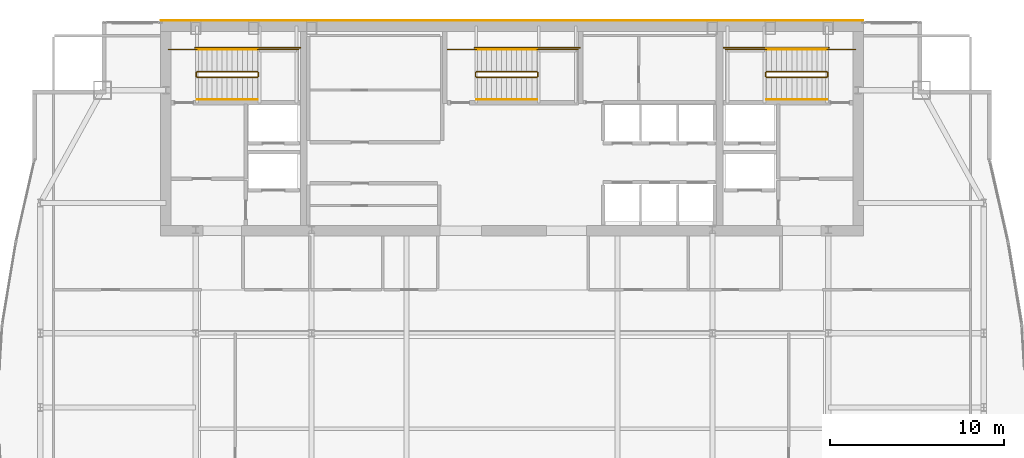
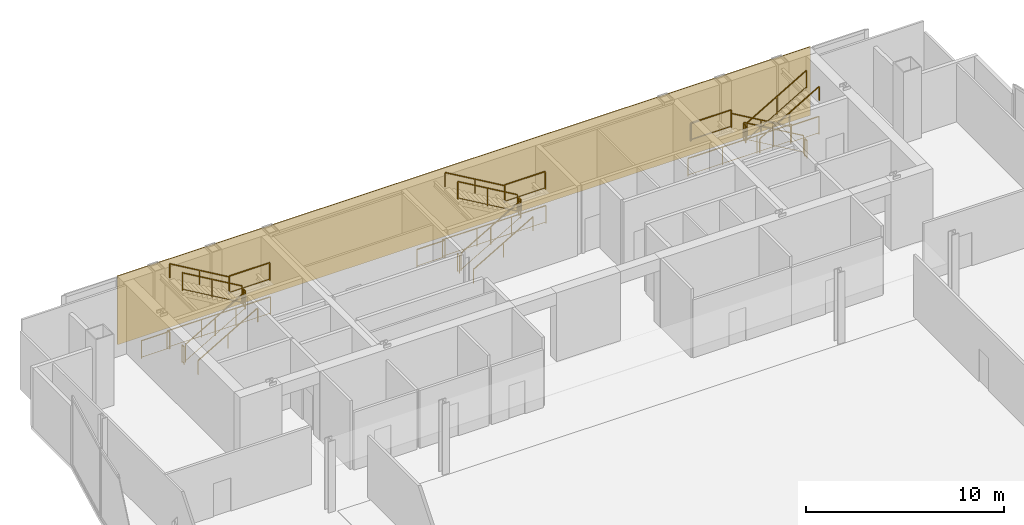
# One storey, part 28 of 28: 27 railings, 1 covering.
"""IFC4 building model written with IfcOpenShell, lengths in metres."""

import ifcopenshell
import ifcopenshell.guid

model = None  # the IFC model being written
_history = None  # IfcOwnerHistory: only IFC2X3 demands one
_inside = {}  # id of a spatial element -> (the spatial element, [elements in it])
_under = {}  # id of a project, library or spatial element -> (it, [spatial elements below it])
_declared = {}  # id of a project -> (the project, [libraries it declares])
_typed = {}  # id of a type object -> (the type object, [elements of that type])
_made_of = {}  # id of a material, layer set ... -> (it, [elements and type objects made of it])


def new_model(schema):
    """Start an empty IFC model of exactly this schema.

    Asked for "IFC4X3", IfcOpenShell would pick the latest addendum, in which some entities
    have other attributes; the version numbers below select the first issue.
    IFC2X3 requires an IfcOwnerHistory on every rooted entity: one is made here for all.
    """
    global model, _history
    if schema == "IFC4X3":
        model = ifcopenshell.file(schema_version=(4, 3, 0, 0))
    else:
        model = ifcopenshell.file(schema=schema)
    _inside.clear()
    _under.clear()
    _declared.clear()
    _typed.clear()
    _made_of.clear()
    _history = None
    if model.schema == "IFC2X3":
        org = make("IfcOrganization", Name="unknown")
        user = make(
            "IfcPersonAndOrganization",
            ThePerson=make("IfcPerson", FamilyName="unknown"),
            TheOrganization=org,
        )
        app = make(
            "IfcApplication",
            ApplicationDeveloper=org,
            Version="unknown",
            ApplicationFullName="unknown",
            ApplicationIdentifier="unknown",
        )
        _history = make(
            "IfcOwnerHistory",
            OwningUser=user,
            OwningApplication=app,
            ChangeAction="ADDED",
            CreationDate=0,
        )
    return model


def make(cls, **values):
    """One entity of the class cls with the attributes given. An attribute that is None is left unset."""
    return model.create_entity(
        cls, **{name: value for name, value in values.items() if value is not None}
    )


def rooted(cls, **values):
    """An entity with a GlobalId (a new one), such as an element, a storey or a relation."""
    return make(cls, GlobalId=ifcopenshell.guid.new(), OwnerHistory=_history, **values)


def si_unit(unit_type, name, prefix=None):
    """IfcSIUnit, for example si_unit("LENGTHUNIT", "METRE", prefix="MILLI")."""
    return make("IfcSIUnit", UnitType=unit_type, Prefix=prefix, Name=name)


def assignment(units):
    """IfcUnitAssignment: the units of a project."""
    return None if units is None else make("IfcUnitAssignment", Units=units)


def point(xyz):
    """IfcCartesianPoint."""
    return None if xyz is None else make("IfcCartesianPoint", Coordinates=xyz)


def direction(xyz):
    """IfcDirection."""
    return None if xyz is None else make("IfcDirection", DirectionRatios=xyz)


def frame(location, z_axis=None, x_axis=None):
    """IfcAxis2Placement3D, a coordinate frame: its origin and axes. An axis left out is left unset."""
    return make(
        "IfcAxis2Placement3D",
        Location=point(location),
        Axis=direction(z_axis),
        RefDirection=direction(x_axis),
    )


def frame_2d(location, x_axis=None):
    """IfcAxis2Placement2D, a coordinate frame in the plane: its origin and x axis."""
    return make(
        "IfcAxis2Placement2D", Location=point(location), RefDirection=direction(x_axis)
    )


def origin():
    """The frame at (0, 0, 0) with its axes left unset."""
    return frame((0.0, 0.0, 0.0))


def origin_2d():
    """The frame at (0, 0) in the plane with its x axis left unset."""
    return frame_2d((0.0, 0.0))


def place(relative_to, where):
    """IfcLocalPlacement: puts the frame where relative to a parent placement (None: the world)."""
    return make(
        "IfcLocalPlacement", PlacementRelTo=relative_to, RelativePlacement=where
    )


def context(
    kind, dimensions, precision=None, world=None, true_north=None, identifier=None
):
    """IfcGeometricRepresentationContext, for example the 3D "Model" context."""
    return make(
        "IfcGeometricRepresentationContext",
        ContextIdentifier=identifier,
        ContextType=kind,
        CoordinateSpaceDimension=dimensions,
        Precision=precision,
        WorldCoordinateSystem=world,
        TrueNorth=true_north,
    )


def subcontext(parent, identifier, kind, view, scale=None):
    """IfcGeometricRepresentationSubContext, for example "Body" below "Model"."""
    return make(
        "IfcGeometricRepresentationSubContext",
        ContextIdentifier=identifier,
        ContextType=kind,
        ParentContext=parent,
        TargetScale=scale,
        TargetView=view,
    )


def project(units=None, contexts=None):
    """IfcProject with its units and contexts."""
    return rooted(
        "IfcProject",
        Name="project",
        RepresentationContexts=contexts,
        UnitsInContext=assignment(units),
    )


def spatial(cls, under=None, at=None, **own):
    """A site, building, storey or space (cls), placed at a placement, below another one or the project."""
    s = rooted(cls, ObjectPlacement=at, **own)
    if under is not None:
        _under.setdefault(under.id(), (under, []))[1].append(s)
    return s


def polyline(points):
    """IfcPolyline through the points."""
    return make("IfcPolyline", Points=[point(p) for p in points])


def profile(cls, at=None, kind="AREA", **sizes):
    """A parametric profile (cls). Its sizes go by their IFC names, for example OverallWidth=200.0."""
    return make(cls, ProfileType=kind, Position=at, **sizes)


def rectangle(**sizes):
    """IfcRectangleProfileDef."""
    return profile("IfcRectangleProfileDef", **sizes)


def outline(outer, holes=None, kind="AREA"):
    """IfcArbitraryClosedProfileDef: a profile drawn as a closed curve; with holes, ...WithVoids."""
    if holes is None:
        return make("IfcArbitraryClosedProfileDef", ProfileType=kind, OuterCurve=outer)
    return make(
        "IfcArbitraryProfileDefWithVoids",
        ProfileType=kind,
        OuterCurve=outer,
        InnerCurves=holes,
    )


def extrude(swept, where, along, depth):
    """IfcExtrudedAreaSolid: the profile swept, set in the frame where, extruded along a direction by depth."""
    return make(
        "IfcExtrudedAreaSolid",
        SweptArea=swept,
        Position=where,
        ExtrudedDirection=direction(along),
        Depth=depth,
    )


def shape(context_of_items, identifier, shape_type, items):
    """IfcShapeRepresentation: the items that make up one representation, for example the "Body"."""
    return make(
        "IfcShapeRepresentation",
        ContextOfItems=context_of_items,
        RepresentationIdentifier=identifier,
        RepresentationType=shape_type,
        Items=items,
    )


def material(Name=None, Category=None):
    """IfcMaterial."""
    return make("IfcMaterial", Name=Name, Category=Category)


def layer(
    of_material, thickness, ventilated=None, Name=None, Category=None, Priority=None
):
    """IfcMaterialLayer: one layer of a wall or slab, of a material (None: an air gap)."""
    return make(
        "IfcMaterialLayer",
        Material=of_material,
        LayerThickness=thickness,
        IsVentilated=ventilated,
        Name=Name,
        Category=Category,
        Priority=Priority,
    )


def layer_set(layers, Name=None):
    """IfcMaterialLayerSet."""
    return make("IfcMaterialLayerSet", MaterialLayers=layers, LayerSetName=Name)


def made_of(thing, what):
    """Note that an element or type object is made of a material, layer set ...; save() writes the relation."""
    if what is not None:
        _made_of.setdefault(what.id(), (what, []))[1].append(thing)
    return thing


def type_object(cls, material=None, **own):
    """A type object (cls), such as IfcWallType, which elements share."""
    return made_of(rooted(cls, **own), material)


def element(
    cls,
    number,
    at=None,
    inside=None,
    cuts=None,
    type_object=None,
    material=None,
    context=None,
    identifier="Body",
    shape_type=None,
    held_by="IfcProductDefinitionShape",
    body=None,
    shapes=None,
    **own,
):
    """One element of the class cls, such as IfcWall. Its Tag is "e" and its number.

    at: its placement. inside: the storey or other place that contains it. cuts: it is an
    opening in that element (IfcRelVoidsElement). A single representation is given by context,
    identifier, shape_type and body (its items); several are given by shapes. held_by: the class
    of the entity that holds the representations. save() writes the other relations.
    """
    e = rooted(cls, Tag="e%d" % number, ObjectPlacement=at, **own)
    if body is not None:
        shapes = [shape(context, identifier, shape_type, body)]
    if shapes is not None:
        e.Representation = make(held_by, Representations=shapes)
    if inside is not None:
        _inside.setdefault(inside.id(), (inside, []))[1].append(e)
    if cuts is not None:
        rooted(
            "IfcRelVoidsElement", RelatingBuildingElement=cuts, RelatedOpeningElement=e
        )
    if type_object is not None:
        _typed.setdefault(type_object.id(), (type_object, []))[1].append(e)
    return made_of(e, material)


def aggregate(whole, parts):
    """IfcRelAggregates: a whole, such as a stair, and the parts it consists of."""
    return rooted("IfcRelAggregates", RelatingObject=whole, RelatedObjects=parts)


def save(model, path):
    """Write the relations noted so far, then the file.

    IfcRelAggregates (storeys below a building ...), IfcRelContainedInSpatialStructure (elements
    in a storey), IfcRelDefinesByType, IfcRelAssociatesMaterial and IfcRelDeclares: one each for
    every whole, place, type object, material and project.
    """
    for whole, parts in _under.values():
        aggregate(whole, parts)
    for where, things in _inside.values():
        rooted(
            "IfcRelContainedInSpatialStructure",
            RelatedElements=things,
            RelatingStructure=where,
        )
    for kind, things in _typed.values():
        rooted("IfcRelDefinesByType", RelatedObjects=things, RelatingType=kind)
    for what, things in _made_of.values():
        rooted("IfcRelAssociatesMaterial", RelatedObjects=things, RelatingMaterial=what)
    for by, libraries in _declared.values():
        rooted("IfcRelDeclares", RelatingContext=by, RelatedDefinitions=libraries)
    model.write(path)


model = new_model("IFC4")

# Units and contexts
model_context = context("Model", 3, precision=1e-05, world=origin(), true_north=direction((0.0, 1.0)))
body_context = subcontext(model_context, "Body", "Model", "MODEL_VIEW")
ifc_project = project(units=[si_unit("LENGTHUNIT", "METRE"), si_unit("AREAUNIT", "SQUARE_METRE"), si_unit("VOLUMEUNIT", "CUBIC_METRE"), si_unit("PLANEANGLEUNIT", "RADIAN"), si_unit("MASSUNIT", "GRAM", prefix="KILO")], contexts=[model_context])

# Site, building, storey
site_placement = place(None, origin())
site = spatial("IfcSite", under=ifc_project, at=site_placement, CompositionType="ELEMENT")
building_placement = place(site_placement, origin())
building = spatial("IfcBuilding", under=site, at=building_placement, Name="Khoronbel Lancet Exchange", CompositionType="ELEMENT")
storey_placement = place(building_placement, frame((0.0, 0.0, 265.39990234375)))
storey = spatial("IfcBuildingStorey", under=building, at=storey_placement, Name="L68", CompositionType="ELEMENT", Elevation=265.39990234375)

# Covering
ifc_material_1 = material(Name="Honed Egyptian Limestone & Bronze Rainscreen", Category="masonry")
ifc_layer = layer(ifc_material_1, 0.050048828125, Name="Honed Egyptian Limestone & Bronze Rainscreen")
ifc_layer_set = layer_set([ifc_layer], Name="Honed Egyptian Limestone & Bronze Rainscreen")
covering_type = type_object("IfcCoveringType", Name="COV-CLAD1", PredefinedType="CLADDING", material=ifc_layer_set)
covering_placement = place(storey_placement, origin())
element("IfcCovering", 1, at=covering_placement, inside=storey, type_object=covering_type, Name="Level L68 north rear-core stone and bronze rainscreen cladding", PredefinedType="CLADDING", context=body_context, shape_type="SweptSolid", body=[
    extrude(outline(polyline([(16.199951171875, 53.699951171875), (56.699951171875, 53.699951171875), (56.699951171875, 53.75), (16.199951171875, 53.75), (16.199951171875, 53.699951171875)])), origin(), (0.0, 0.0, 1.0), 4.239990234375),
])

# Railings
ifc_material_2 = material(Name="Painted Steel Balustrade", Category="steel")
railing_type_1 = type_object("IfcRailingType", Name="RL-STG110", PredefinedType="GUARDRAIL", material=ifc_material_2)
railing_1_placement = place(storey_placement, frame((18.300048828125, 50.449951171875, 0.16943359375)))
element("IfcRailing", 2, at=railing_1_placement, inside=storey, type_object=railing_type_1, Name="L68 ST1 stair guard 1", PredefinedType="GUARDRAIL", context=body_context, shape_type="SweptSolid", body=[
    extrude(rectangle(XDim=0.048095703125, YDim=0.048095703125, at=origin_2d()), frame((0.0, 0.0, 1.09619140625), z_axis=(0.863695377172, 0.0, 0.504014181796), x_axis=(0.0, 1.0, 0.0)), (0.0, 0.0, 1.0), 4.029296875),
    extrude(rectangle(XDim=0.02392578125, YDim=0.02392578125, at=origin_2d()), frame((0.0, 0.0, 0.080078125), z_axis=(0.863695377172, 0.0, 0.504014181796), x_axis=(0.0, 1.0, 0.0)), (0.0, 0.0, 1.0), 4.029296875),
    extrude(rectangle(XDim=0.0419921875, YDim=0.0419921875, at=origin_2d()), origin(), (0.0, 0.0, 1.0), 1.072021484375),
    extrude(rectangle(XDim=0.0419921875, YDim=0.0419921875, at=origin_2d()), frame((1.739990234375, 0.0, 1.015380859375)), (0.0, 0.0, 1.0), 1.072021484375),
    extrude(rectangle(XDim=0.0419921875, YDim=0.0419921875, at=origin_2d()), frame((3.47998046875, 0.0, 2.03076171875)), (0.0, 0.0, 1.0), 1.072021484375),
])
railing_2_placement = place(storey_placement, frame((21.830078125, 50.5, 2.2001953125)))
element("IfcRailing", 3, at=railing_2_placement, inside=storey, type_object=railing_type_1, Name="L68 ST1 stair guard 2", PredefinedType="GUARDRAIL", context=body_context, shape_type="SweptSolid", body=[
    extrude(rectangle(XDim=0.048095703125, YDim=0.048095703125, at=origin_2d()), frame((0.0, 0.0, 1.09619140625), z_axis=(0.0, 1.0, 0.0), x_axis=(-1.0, 0.0, 0.0)), (0.0, 0.0, 1.0), 0.219970703125),
    extrude(rectangle(XDim=0.02392578125, YDim=0.02392578125, at=origin_2d()), frame((0.0, 0.0, 0.080078125), z_axis=(0.0, 1.0, 0.0), x_axis=(-1.0, 0.0, 0.0)), (0.0, 0.0, 1.0), 0.219970703125),
    extrude(rectangle(XDim=0.0419921875, YDim=0.0419921875, at=origin_2d()), origin(), (0.0, 0.0, 1.0), 1.072021484375),
    extrude(rectangle(XDim=0.0419921875, YDim=0.0419921875, at=origin_2d()), frame((0.0, 0.219970703125, 0.0)), (0.0, 0.0, 1.0), 1.072021484375),
])
railing_3_placement = place(storey_placement, frame((21.780029296875, 52.050048828125, 2.2001953125)))
element("IfcRailing", 4, at=railing_3_placement, inside=storey, type_object=railing_type_1, Name="L68 ST1 stair guard 3", PredefinedType="GUARDRAIL", context=body_context, shape_type="SweptSolid", body=[
    extrude(rectangle(XDim=0.048095703125, YDim=0.048095703125, at=origin_2d()), frame((0.0, 0.0, 1.09619140625), z_axis=(1.0, 0.0, 0.0), x_axis=(0.0, 1.0, 0.0)), (0.0, 0.0, 1.0), 2.369873046875),
    extrude(rectangle(XDim=0.02392578125, YDim=0.02392578125, at=origin_2d()), frame((0.0, 0.0, 0.080078125), z_axis=(1.0, 0.0, 0.0), x_axis=(0.0, 1.0, 0.0)), (0.0, 0.0, 1.0), 2.369873046875),
    extrude(rectangle(XDim=0.0419921875, YDim=0.0419921875, at=origin_2d()), origin(), (0.0, 0.0, 1.0), 1.072021484375),
    extrude(rectangle(XDim=0.0419921875, YDim=0.0419921875, at=origin_2d()), frame((2.369873046875, 0.0, 0.0)), (0.0, 0.0, 1.0), 1.072021484375),
])
railing_4_placement = place(storey_placement, frame((21.780029296875, 50.77001953125, 2.369384765625)))
element("IfcRailing", 5, at=railing_4_placement, inside=storey, type_object=railing_type_1, Name="L68 ST1 stair guard 4", PredefinedType="GUARDRAIL", context=body_context, shape_type="SweptSolid", body=[
    extrude(rectangle(XDim=0.048095703125, YDim=0.048095703125, at=origin_2d()), frame((0.0, 0.0, 1.09619140625), z_axis=(-0.863695377172, 0.0, 0.504014181796), x_axis=(0.0, -1.0, 0.0)), (0.0, 0.0, 1.0), 4.029296875),
    extrude(rectangle(XDim=0.02392578125, YDim=0.02392578125, at=origin_2d()), frame((0.0, 0.0, 0.080078125), z_axis=(-0.863695377172, 0.0, 0.504014181796), x_axis=(0.0, -1.0, 0.0)), (0.0, 0.0, 1.0), 4.029296875),
    extrude(rectangle(XDim=0.0419921875, YDim=0.0419921875, at=origin_2d()), origin(), (0.0, 0.0, 1.0), 1.072021484375),
    extrude(rectangle(XDim=0.0419921875, YDim=0.0419921875, at=origin_2d()), frame((-1.739990234375, 0.0, 1.015380859375)), (0.0, 0.0, 1.0), 1.072021484375),
    extrude(rectangle(XDim=0.0419921875, YDim=0.0419921875, at=origin_2d()), frame((-3.47998046875, 0.0, 2.03076171875)), (0.0, 0.0, 1.0), 1.072021484375),
])
railing_5_placement = place(storey_placement, frame((18.25, 50.5, 0.0)))
element("IfcRailing", 6, at=railing_5_placement, inside=storey, type_object=railing_type_1, Name="L68 ST1 stair guard 5", PredefinedType="GUARDRAIL", context=body_context, shape_type="SweptSolid", body=[
    extrude(rectangle(XDim=0.048095703125, YDim=0.048095703125, at=origin_2d()), frame((0.0, 0.0, 1.09619140625), z_axis=(0.0, 1.0, 0.0), x_axis=(-1.0, 0.0, 0.0)), (0.0, 0.0, 1.0), 0.219970703125),
    extrude(rectangle(XDim=0.02392578125, YDim=0.02392578125, at=origin_2d()), frame((0.0, 0.0, 0.080078125), z_axis=(0.0, 1.0, 0.0), x_axis=(-1.0, 0.0, 0.0)), (0.0, 0.0, 1.0), 0.219970703125),
    extrude(rectangle(XDim=0.0419921875, YDim=0.0419921875, at=origin_2d()), origin(), (0.0, 0.0, 1.0), 1.072021484375),
    extrude(rectangle(XDim=0.0419921875, YDim=0.0419921875, at=origin_2d()), frame((0.0, 0.219970703125, 0.0)), (0.0, 0.0, 1.0), 1.072021484375),
])
railing_6_placement = place(storey_placement, frame((16.64990234375, 52.050048828125, 0.0)))
element("IfcRailing", 7, at=railing_6_placement, inside=storey, type_object=railing_type_1, Name="L68 ST1 stair guard 6", PredefinedType="GUARDRAIL", context=body_context, shape_type="SweptSolid", body=[
    extrude(rectangle(XDim=0.048095703125, YDim=0.048095703125, at=origin_2d()), frame((0.0, 0.0, 1.09619140625), z_axis=(1.0, 0.0, 0.0), x_axis=(0.0, 1.0, 0.0)), (0.0, 0.0, 1.0), 1.650146484375),
    extrude(rectangle(XDim=0.02392578125, YDim=0.02392578125, at=origin_2d()), frame((0.0, 0.0, 0.080078125), z_axis=(1.0, 0.0, 0.0), x_axis=(0.0, 1.0, 0.0)), (0.0, 0.0, 1.0), 1.650146484375),
    extrude(rectangle(XDim=0.0419921875, YDim=0.0419921875, at=origin_2d()), origin(), (0.0, 0.0, 1.0), 1.072021484375),
    extrude(rectangle(XDim=0.0419921875, YDim=0.0419921875, at=origin_2d()), frame((1.650146484375, 0.0, 0.0)), (0.0, 0.0, 1.0), 1.072021484375),
])
railing_7_placement = place(storey_placement, frame((18.199951171875, 52.14990234375, 0.0)))
element("IfcRailing", 8, at=railing_7_placement, inside=storey, type_object=railing_type_1, Name="L68 ST1 stair guard 7", PredefinedType="GUARDRAIL", context=body_context, shape_type="SweptSolid", body=[
    extrude(rectangle(XDim=0.048095703125, YDim=0.048095703125, at=origin_2d()), frame((0.0, 0.0, 1.09619140625), z_axis=(1.0, 0.0, 0.0), x_axis=(0.0, 1.0, 0.0)), (0.0, 0.0, 1.0), 6.050048828125),
    extrude(rectangle(XDim=0.02392578125, YDim=0.02392578125, at=origin_2d()), frame((0.0, 0.0, 0.080078125), z_axis=(1.0, 0.0, 0.0), x_axis=(0.0, 1.0, 0.0)), (0.0, 0.0, 1.0), 6.050048828125),
    extrude(rectangle(XDim=0.0419921875, YDim=0.0419921875, at=origin_2d()), origin(), (0.0, 0.0, 1.0), 1.072021484375),
    extrude(rectangle(XDim=0.0419921875, YDim=0.0419921875, at=origin_2d()), frame((2.0166015625, 0.0, 0.0)), (0.0, 0.0, 1.0), 1.072021484375),
    extrude(rectangle(XDim=0.0419921875, YDim=0.0419921875, at=origin_2d()), frame((4.033447265625, 0.0, 0.0)), (0.0, 0.0, 1.0), 1.072021484375),
    extrude(rectangle(XDim=0.0419921875, YDim=0.0419921875, at=origin_2d()), frame((6.050048828125, 0.0, 0.0)), (0.0, 0.0, 1.0), 1.072021484375),
])
railing_8_placement = place(storey_placement, frame((54.60009765625, 50.77001953125, 0.16943359375)))
element("IfcRailing", 9, at=railing_8_placement, inside=storey, type_object=railing_type_1, Name="L68 ST2 stair guard 1", PredefinedType="GUARDRAIL", context=body_context, shape_type="SweptSolid", body=[
    extrude(rectangle(XDim=0.048095703125, YDim=0.048095703125, at=origin_2d()), frame((0.0, 0.0, 1.09619140625), z_axis=(-0.863695377172, 0.0, 0.504014181796), x_axis=(0.0, -1.0, 0.0)), (0.0, 0.0, 1.0), 4.029296875),
    extrude(rectangle(XDim=0.02392578125, YDim=0.02392578125, at=origin_2d()), frame((0.0, 0.0, 0.080078125), z_axis=(-0.863695377172, 0.0, 0.504014181796), x_axis=(0.0, -1.0, 0.0)), (0.0, 0.0, 1.0), 4.029296875),
    extrude(rectangle(XDim=0.0419921875, YDim=0.0419921875, at=origin_2d()), origin(), (0.0, 0.0, 1.0), 1.072021484375),
    extrude(rectangle(XDim=0.0419921875, YDim=0.0419921875, at=origin_2d()), frame((-1.739990234375, 0.0, 1.015380859375)), (0.0, 0.0, 1.0), 1.072021484375),
    extrude(rectangle(XDim=0.0419921875, YDim=0.0419921875, at=origin_2d()), frame((-3.47998046875, 0.0, 2.03076171875)), (0.0, 0.0, 1.0), 1.072021484375),
])
railing_9_placement = place(storey_placement, frame((51.070068359375, 50.719970703125, 2.2001953125)))
element("IfcRailing", 10, at=railing_9_placement, inside=storey, type_object=railing_type_1, Name="L68 ST2 stair guard 2", PredefinedType="GUARDRAIL", context=body_context, shape_type="SweptSolid", body=[
    extrude(rectangle(XDim=0.048095703125, YDim=0.048095703125, at=origin_2d()), frame((0.0, 0.0, 1.09619140625), z_axis=(0.0, -1.0, 0.0), x_axis=(1.0, 0.0, 0.0)), (0.0, 0.0, 1.0), 0.219970703125),
    extrude(rectangle(XDim=0.02392578125, YDim=0.02392578125, at=origin_2d()), frame((0.0, 0.0, 0.080078125), z_axis=(0.0, -1.0, 0.0), x_axis=(1.0, 0.0, 0.0)), (0.0, 0.0, 1.0), 0.219970703125),
    extrude(rectangle(XDim=0.0419921875, YDim=0.0419921875, at=origin_2d()), origin(), (0.0, 0.0, 1.0), 1.072021484375),
    extrude(rectangle(XDim=0.0419921875, YDim=0.0419921875, at=origin_2d()), frame((0.0, -0.219970703125, 0.0)), (0.0, 0.0, 1.0), 1.072021484375),
])
railing_10_placement = place(storey_placement, frame((51.1201171875, 52.050048828125, 2.2001953125)))
element("IfcRailing", 11, at=railing_10_placement, inside=storey, type_object=railing_type_1, Name="L68 ST2 stair guard 3", PredefinedType="GUARDRAIL", context=body_context, shape_type="SweptSolid", body=[
    extrude(rectangle(XDim=0.048095703125, YDim=0.048095703125, at=origin_2d()), frame((0.0, 0.0, 1.09619140625), z_axis=(-1.0, 0.0, 0.0), x_axis=(0.0, -1.0, 0.0)), (0.0, 0.0, 1.0), 2.3701171875),
    extrude(rectangle(XDim=0.02392578125, YDim=0.02392578125, at=origin_2d()), frame((0.0, 0.0, 0.080078125), z_axis=(-1.0, 0.0, 0.0), x_axis=(0.0, -1.0, 0.0)), (0.0, 0.0, 1.0), 2.3701171875),
    extrude(rectangle(XDim=0.0419921875, YDim=0.0419921875, at=origin_2d()), origin(), (0.0, 0.0, 1.0), 1.072021484375),
    extrude(rectangle(XDim=0.0419921875, YDim=0.0419921875, at=origin_2d()), frame((-2.3701171875, 0.0, 0.0)), (0.0, 0.0, 1.0), 1.072021484375),
])
railing_11_placement = place(storey_placement, frame((51.1201171875, 50.449951171875, 2.369384765625)))
element("IfcRailing", 12, at=railing_11_placement, inside=storey, type_object=railing_type_1, Name="L68 ST2 stair guard 4", PredefinedType="GUARDRAIL", context=body_context, shape_type="SweptSolid", body=[
    extrude(rectangle(XDim=0.048095703125, YDim=0.048095703125, at=origin_2d()), frame((0.0, 0.0, 1.09619140625), z_axis=(0.863695377172, 0.0, 0.504014181796), x_axis=(0.0, 1.0, 0.0)), (0.0, 0.0, 1.0), 4.029296875),
    extrude(rectangle(XDim=0.02392578125, YDim=0.02392578125, at=origin_2d()), frame((0.0, 0.0, 0.080078125), z_axis=(0.863695377172, 0.0, 0.504014181796), x_axis=(0.0, 1.0, 0.0)), (0.0, 0.0, 1.0), 4.029296875),
    extrude(rectangle(XDim=0.0419921875, YDim=0.0419921875, at=origin_2d()), origin(), (0.0, 0.0, 1.0), 1.072021484375),
    extrude(rectangle(XDim=0.0419921875, YDim=0.0419921875, at=origin_2d()), frame((1.739990234375, 0.0, 1.015380859375)), (0.0, 0.0, 1.0), 1.072021484375),
    extrude(rectangle(XDim=0.0419921875, YDim=0.0419921875, at=origin_2d()), frame((3.47998046875, 0.0, 2.03076171875)), (0.0, 0.0, 1.0), 1.072021484375),
])
railing_12_placement = place(storey_placement, frame((54.64990234375, 50.719970703125, 0.0)))
element("IfcRailing", 13, at=railing_12_placement, inside=storey, type_object=railing_type_1, Name="L68 ST2 stair guard 5", PredefinedType="GUARDRAIL", context=body_context, shape_type="SweptSolid", body=[
    extrude(rectangle(XDim=0.048095703125, YDim=0.048095703125, at=origin_2d()), frame((0.0, 0.0, 1.09619140625), z_axis=(0.0, -1.0, 0.0), x_axis=(1.0, 0.0, 0.0)), (0.0, 0.0, 1.0), 0.219970703125),
    extrude(rectangle(XDim=0.02392578125, YDim=0.02392578125, at=origin_2d()), frame((0.0, 0.0, 0.080078125), z_axis=(0.0, -1.0, 0.0), x_axis=(1.0, 0.0, 0.0)), (0.0, 0.0, 1.0), 0.219970703125),
    extrude(rectangle(XDim=0.0419921875, YDim=0.0419921875, at=origin_2d()), origin(), (0.0, 0.0, 1.0), 1.072021484375),
    extrude(rectangle(XDim=0.0419921875, YDim=0.0419921875, at=origin_2d()), frame((0.0, -0.219970703125, 0.0)), (0.0, 0.0, 1.0), 1.072021484375),
])
railing_13_placement = place(storey_placement, frame((56.25, 52.050048828125, 0.0)))
element("IfcRailing", 14, at=railing_13_placement, inside=storey, type_object=railing_type_1, Name="L68 ST2 stair guard 6", PredefinedType="GUARDRAIL", context=body_context, shape_type="SweptSolid", body=[
    extrude(rectangle(XDim=0.048095703125, YDim=0.048095703125, at=origin_2d()), frame((0.0, 0.0, 1.09619140625), z_axis=(-1.0, 0.0, 0.0), x_axis=(0.0, -1.0, 0.0)), (0.0, 0.0, 1.0), 1.64990234375),
    extrude(rectangle(XDim=0.02392578125, YDim=0.02392578125, at=origin_2d()), frame((0.0, 0.0, 0.080078125), z_axis=(-1.0, 0.0, 0.0), x_axis=(0.0, -1.0, 0.0)), (0.0, 0.0, 1.0), 1.64990234375),
    extrude(rectangle(XDim=0.0419921875, YDim=0.0419921875, at=origin_2d()), origin(), (0.0, 0.0, 1.0), 1.072021484375),
    extrude(rectangle(XDim=0.0419921875, YDim=0.0419921875, at=origin_2d()), frame((-1.64990234375, 0.0, 0.0)), (0.0, 0.0, 1.0), 1.072021484375),
])
railing_14_placement = place(storey_placement, frame((54.699951171875, 52.14990234375, 0.0)))
element("IfcRailing", 15, at=railing_14_placement, inside=storey, type_object=railing_type_1, Name="L68 ST2 stair guard 7", PredefinedType="GUARDRAIL", context=body_context, shape_type="SweptSolid", body=[
    extrude(rectangle(XDim=0.048095703125, YDim=0.048095703125, at=origin_2d()), frame((0.0, 0.0, 1.09619140625), z_axis=(-1.0, 0.0, 0.0), x_axis=(0.0, -1.0, 0.0)), (0.0, 0.0, 1.0), 6.050048828125),
    extrude(rectangle(XDim=0.02392578125, YDim=0.02392578125, at=origin_2d()), frame((0.0, 0.0, 0.080078125), z_axis=(-1.0, 0.0, 0.0), x_axis=(0.0, -1.0, 0.0)), (0.0, 0.0, 1.0), 6.050048828125),
    extrude(rectangle(XDim=0.0419921875, YDim=0.0419921875, at=origin_2d()), origin(), (0.0, 0.0, 1.0), 1.072021484375),
    extrude(rectangle(XDim=0.0419921875, YDim=0.0419921875, at=origin_2d()), frame((-2.0166015625, 0.0, 0.0)), (0.0, 0.0, 1.0), 1.072021484375),
    extrude(rectangle(XDim=0.0419921875, YDim=0.0419921875, at=origin_2d()), frame((-4.033447265625, 0.0, 0.0)), (0.0, 0.0, 1.0), 1.072021484375),
    extrude(rectangle(XDim=0.0419921875, YDim=0.0419921875, at=origin_2d()), frame((-6.050048828125, 0.0, 0.0)), (0.0, 0.0, 1.0), 1.072021484375),
])
railing_15_placement = place(storey_placement, frame((34.39990234375, 50.449951171875, 0.16943359375)))
element("IfcRailing", 16, at=railing_15_placement, inside=storey, type_object=railing_type_1, Name="L68 ST3 stair guard 1", PredefinedType="GUARDRAIL", context=body_context, shape_type="SweptSolid", body=[
    extrude(rectangle(XDim=0.048095703125, YDim=0.048095703125, at=origin_2d()), frame((0.0, 0.0, 1.09619140625), z_axis=(0.863695377172, 0.0, 0.504014181796), x_axis=(0.0, 1.0, 0.0)), (0.0, 0.0, 1.0), 4.029296875),
    extrude(rectangle(XDim=0.02392578125, YDim=0.02392578125, at=origin_2d()), frame((0.0, 0.0, 0.080078125), z_axis=(0.863695377172, 0.0, 0.504014181796), x_axis=(0.0, 1.0, 0.0)), (0.0, 0.0, 1.0), 4.029296875),
    extrude(rectangle(XDim=0.0419921875, YDim=0.0419921875, at=origin_2d()), origin(), (0.0, 0.0, 1.0), 1.072021484375),
    extrude(rectangle(XDim=0.0419921875, YDim=0.0419921875, at=origin_2d()), frame((1.739990234375, 0.0, 1.015380859375)), (0.0, 0.0, 1.0), 1.072021484375),
    extrude(rectangle(XDim=0.0419921875, YDim=0.0419921875, at=origin_2d()), frame((3.47998046875, 0.0, 2.03076171875)), (0.0, 0.0, 1.0), 1.072021484375),
])
railing_16_placement = place(storey_placement, frame((37.929931640625, 50.5, 2.2001953125)))
element("IfcRailing", 17, at=railing_16_placement, inside=storey, type_object=railing_type_1, Name="L68 ST3 stair guard 2", PredefinedType="GUARDRAIL", context=body_context, shape_type="SweptSolid", body=[
    extrude(rectangle(XDim=0.048095703125, YDim=0.048095703125, at=origin_2d()), frame((0.0, 0.0, 1.09619140625), z_axis=(0.0, 1.0, 0.0), x_axis=(-1.0, 0.0, 0.0)), (0.0, 0.0, 1.0), 0.219970703125),
    extrude(rectangle(XDim=0.02392578125, YDim=0.02392578125, at=origin_2d()), frame((0.0, 0.0, 0.080078125), z_axis=(0.0, 1.0, 0.0), x_axis=(-1.0, 0.0, 0.0)), (0.0, 0.0, 1.0), 0.219970703125),
    extrude(rectangle(XDim=0.0419921875, YDim=0.0419921875, at=origin_2d()), origin(), (0.0, 0.0, 1.0), 1.072021484375),
    extrude(rectangle(XDim=0.0419921875, YDim=0.0419921875, at=origin_2d()), frame((0.0, 0.219970703125, 0.0)), (0.0, 0.0, 1.0), 1.072021484375),
])
railing_17_placement = place(storey_placement, frame((37.8798828125, 52.050048828125, 2.2001953125)))
element("IfcRailing", 18, at=railing_17_placement, inside=storey, type_object=railing_type_1, Name="L68 ST3 stair guard 3", PredefinedType="GUARDRAIL", context=body_context, shape_type="SweptSolid", body=[
    extrude(rectangle(XDim=0.048095703125, YDim=0.048095703125, at=origin_2d()), frame((0.0, 0.0, 1.09619140625), z_axis=(1.0, 0.0, 0.0), x_axis=(0.0, 1.0, 0.0)), (0.0, 0.0, 1.0), 2.3701171875),
    extrude(rectangle(XDim=0.02392578125, YDim=0.02392578125, at=origin_2d()), frame((0.0, 0.0, 0.080078125), z_axis=(1.0, 0.0, 0.0), x_axis=(0.0, 1.0, 0.0)), (0.0, 0.0, 1.0), 2.3701171875),
    extrude(rectangle(XDim=0.0419921875, YDim=0.0419921875, at=origin_2d()), origin(), (0.0, 0.0, 1.0), 1.072021484375),
    extrude(rectangle(XDim=0.0419921875, YDim=0.0419921875, at=origin_2d()), frame((2.3701171875, 0.0, 0.0)), (0.0, 0.0, 1.0), 1.072021484375),
])
railing_18_placement = place(storey_placement, frame((37.8798828125, 50.77001953125, 2.369384765625)))
element("IfcRailing", 19, at=railing_18_placement, inside=storey, type_object=railing_type_1, Name="L68 ST3 stair guard 4", PredefinedType="GUARDRAIL", context=body_context, shape_type="SweptSolid", body=[
    extrude(rectangle(XDim=0.048095703125, YDim=0.048095703125, at=origin_2d()), frame((0.0, 0.0, 1.09619140625), z_axis=(-0.863695377172, 0.0, 0.504014181796), x_axis=(0.0, -1.0, 0.0)), (0.0, 0.0, 1.0), 4.029296875),
    extrude(rectangle(XDim=0.02392578125, YDim=0.02392578125, at=origin_2d()), frame((0.0, 0.0, 0.080078125), z_axis=(-0.863695377172, 0.0, 0.504014181796), x_axis=(0.0, -1.0, 0.0)), (0.0, 0.0, 1.0), 4.029296875),
    extrude(rectangle(XDim=0.0419921875, YDim=0.0419921875, at=origin_2d()), origin(), (0.0, 0.0, 1.0), 1.072021484375),
    extrude(rectangle(XDim=0.0419921875, YDim=0.0419921875, at=origin_2d()), frame((-1.739990234375, 0.0, 1.015380859375)), (0.0, 0.0, 1.0), 1.072021484375),
    extrude(rectangle(XDim=0.0419921875, YDim=0.0419921875, at=origin_2d()), frame((-3.47998046875, 0.0, 2.03076171875)), (0.0, 0.0, 1.0), 1.072021484375),
])
railing_19_placement = place(storey_placement, frame((34.35009765625, 50.5, 0.0)))
element("IfcRailing", 20, at=railing_19_placement, inside=storey, type_object=railing_type_1, Name="L68 ST3 stair guard 5", PredefinedType="GUARDRAIL", context=body_context, shape_type="SweptSolid", body=[
    extrude(rectangle(XDim=0.048095703125, YDim=0.048095703125, at=origin_2d()), frame((0.0, 0.0, 1.09619140625), z_axis=(0.0, 1.0, 0.0), x_axis=(-1.0, 0.0, 0.0)), (0.0, 0.0, 1.0), 0.219970703125),
    extrude(rectangle(XDim=0.02392578125, YDim=0.02392578125, at=origin_2d()), frame((0.0, 0.0, 0.080078125), z_axis=(0.0, 1.0, 0.0), x_axis=(-1.0, 0.0, 0.0)), (0.0, 0.0, 1.0), 0.219970703125),
    extrude(rectangle(XDim=0.0419921875, YDim=0.0419921875, at=origin_2d()), origin(), (0.0, 0.0, 1.0), 1.072021484375),
    extrude(rectangle(XDim=0.0419921875, YDim=0.0419921875, at=origin_2d()), frame((0.0, 0.219970703125, 0.0)), (0.0, 0.0, 1.0), 1.072021484375),
])
railing_20_placement = place(storey_placement, frame((32.75, 52.050048828125, 0.0)))
element("IfcRailing", 21, at=railing_20_placement, inside=storey, type_object=railing_type_1, Name="L68 ST3 stair guard 6", PredefinedType="GUARDRAIL", context=body_context, shape_type="SweptSolid", body=[
    extrude(rectangle(XDim=0.048095703125, YDim=0.048095703125, at=origin_2d()), frame((0.0, 0.0, 1.09619140625), z_axis=(1.0, 0.0, 0.0), x_axis=(0.0, 1.0, 0.0)), (0.0, 0.0, 1.0), 1.64990234375),
    extrude(rectangle(XDim=0.02392578125, YDim=0.02392578125, at=origin_2d()), frame((0.0, 0.0, 0.080078125), z_axis=(1.0, 0.0, 0.0), x_axis=(0.0, 1.0, 0.0)), (0.0, 0.0, 1.0), 1.64990234375),
    extrude(rectangle(XDim=0.0419921875, YDim=0.0419921875, at=origin_2d()), origin(), (0.0, 0.0, 1.0), 1.072021484375),
    extrude(rectangle(XDim=0.0419921875, YDim=0.0419921875, at=origin_2d()), frame((1.64990234375, 0.0, 0.0)), (0.0, 0.0, 1.0), 1.072021484375),
])
railing_21_placement = place(storey_placement, frame((34.300048828125, 52.14990234375, 0.0)))
element("IfcRailing", 22, at=railing_21_placement, inside=storey, type_object=railing_type_1, Name="L68 ST3 stair guard 7", PredefinedType="GUARDRAIL", context=body_context, shape_type="SweptSolid", body=[
    extrude(rectangle(XDim=0.048095703125, YDim=0.048095703125, at=origin_2d()), frame((0.0, 0.0, 1.09619140625), z_axis=(1.0, 0.0, 0.0), x_axis=(0.0, 1.0, 0.0)), (0.0, 0.0, 1.0), 6.050048828125),
    extrude(rectangle(XDim=0.02392578125, YDim=0.02392578125, at=origin_2d()), frame((0.0, 0.0, 0.080078125), z_axis=(1.0, 0.0, 0.0), x_axis=(0.0, 1.0, 0.0)), (0.0, 0.0, 1.0), 6.050048828125),
    extrude(rectangle(XDim=0.0419921875, YDim=0.0419921875, at=origin_2d()), origin(), (0.0, 0.0, 1.0), 1.072021484375),
    extrude(rectangle(XDim=0.0419921875, YDim=0.0419921875, at=origin_2d()), frame((2.0166015625, 0.0, 0.0)), (0.0, 0.0, 1.0), 1.072021484375),
    extrude(rectangle(XDim=0.0419921875, YDim=0.0419921875, at=origin_2d()), frame((4.033447265625, 0.0, 0.0)), (0.0, 0.0, 1.0), 1.072021484375),
    extrude(rectangle(XDim=0.0419921875, YDim=0.0419921875, at=origin_2d()), frame((6.050048828125, 0.0, 0.0)), (0.0, 0.0, 1.0), 1.072021484375),
])
ifc_material_3 = material(Name="Brushed Stainless Steel 316", Category="steel")
railing_type_2 = type_object("IfcRailingType", Name="RL-STH92", PredefinedType="HANDRAIL", material=ifc_material_3)
railing_22_placement = place(storey_placement, frame((18.300048828125, 49.169921875, 0.16943359375)))
element("IfcRailing", 23, at=railing_22_placement, inside=storey, type_object=railing_type_2, Name="L68 ST1 stair handrail 1", PredefinedType="HANDRAIL", context=body_context, shape_type="SweptSolid", body=[
    extrude(rectangle(XDim=0.048095703125, YDim=0.048095703125, at=origin_2d()), frame((0.0, 0.0, 0.8759765625), z_axis=(0.863695377172, 0.0, 0.504014181796), x_axis=(0.0, 1.0, 0.0)), (0.0, 0.0, 1.0), 4.029296875),
    extrude(rectangle(XDim=0.0419921875, YDim=0.0419921875, at=origin_2d()), origin(), (0.0, 0.0, 1.0), 0.851806640625),
    extrude(rectangle(XDim=0.0419921875, YDim=0.0419921875, at=origin_2d()), frame((1.739990234375, 0.0, 1.015380859375)), (0.0, 0.0, 1.0), 0.851806640625),
    extrude(rectangle(XDim=0.0419921875, YDim=0.0419921875, at=origin_2d()), frame((3.47998046875, 0.0, 2.03076171875)), (0.0, 0.0, 1.0), 0.851806640625),
])
for number, where, name in (
    (24, (21.780029296875, 52.050048828125, 2.369384765625), "L68 ST1 stair handrail 2"),
    (25, (54.60009765625, 52.050048828125, 0.16943359375), "L68 ST2 stair handrail 1"),
):
    element("IfcRailing", number, at=place(storey_placement, frame(where)), inside=storey, type_object=railing_type_2, Name=name, PredefinedType="HANDRAIL", context=body_context, shape_type="SweptSolid", body=[
        extrude(rectangle(XDim=0.048095703125, YDim=0.048095703125, at=origin_2d()), frame((0.0, 0.0, 0.8759765625), z_axis=(-0.863695377172, 0.0, 0.504014181796), x_axis=(0.0, -1.0, 0.0)), (0.0, 0.0, 1.0), 4.029296875),
        extrude(rectangle(XDim=0.0419921875, YDim=0.0419921875, at=origin_2d()), origin(), (0.0, 0.0, 1.0), 0.851806640625),
        extrude(rectangle(XDim=0.0419921875, YDim=0.0419921875, at=origin_2d()), frame((-1.739990234375, 0.0, 1.015380859375)), (0.0, 0.0, 1.0), 0.851806640625),
        extrude(rectangle(XDim=0.0419921875, YDim=0.0419921875, at=origin_2d()), frame((-3.47998046875, 0.0, 2.03076171875)), (0.0, 0.0, 1.0), 0.851806640625),
    ])
for number, where, name in (
    (26, (51.1201171875, 49.169921875, 2.369384765625), "L68 ST2 stair handrail 2"),
    (27, (34.39990234375, 49.169921875, 0.16943359375), "L68 ST3 stair handrail 1"),
):
    element("IfcRailing", number, at=place(storey_placement, frame(where)), inside=storey, type_object=railing_type_2, Name=name, PredefinedType="HANDRAIL", context=body_context, shape_type="SweptSolid", body=[
        extrude(rectangle(XDim=0.048095703125, YDim=0.048095703125, at=origin_2d()), frame((0.0, 0.0, 0.8759765625), z_axis=(0.863695377172, 0.0, 0.504014181796), x_axis=(0.0, 1.0, 0.0)), (0.0, 0.0, 1.0), 4.029296875),
        extrude(rectangle(XDim=0.0419921875, YDim=0.0419921875, at=origin_2d()), origin(), (0.0, 0.0, 1.0), 0.851806640625),
        extrude(rectangle(XDim=0.0419921875, YDim=0.0419921875, at=origin_2d()), frame((1.739990234375, 0.0, 1.015380859375)), (0.0, 0.0, 1.0), 0.851806640625),
        extrude(rectangle(XDim=0.0419921875, YDim=0.0419921875, at=origin_2d()), frame((3.47998046875, 0.0, 2.03076171875)), (0.0, 0.0, 1.0), 0.851806640625),
    ])
railing_23_placement = place(storey_placement, frame((37.8798828125, 52.050048828125, 2.369384765625)))
element("IfcRailing", 28, at=railing_23_placement, inside=storey, type_object=railing_type_2, Name="L68 ST3 stair handrail 2", PredefinedType="HANDRAIL", context=body_context, shape_type="SweptSolid", body=[
    extrude(rectangle(XDim=0.048095703125, YDim=0.048095703125, at=origin_2d()), frame((0.0, 0.0, 0.8759765625), z_axis=(-0.863695377172, 0.0, 0.504014181796), x_axis=(0.0, -1.0, 0.0)), (0.0, 0.0, 1.0), 4.029296875),
    extrude(rectangle(XDim=0.0419921875, YDim=0.0419921875, at=origin_2d()), origin(), (0.0, 0.0, 1.0), 0.851806640625),
    extrude(rectangle(XDim=0.0419921875, YDim=0.0419921875, at=origin_2d()), frame((-1.739990234375, 0.0, 1.015380859375)), (0.0, 0.0, 1.0), 0.851806640625),
    extrude(rectangle(XDim=0.0419921875, YDim=0.0419921875, at=origin_2d()), frame((-3.47998046875, 0.0, 2.03076171875)), (0.0, 0.0, 1.0), 0.851806640625),
])

save(model, "model.ifc")
